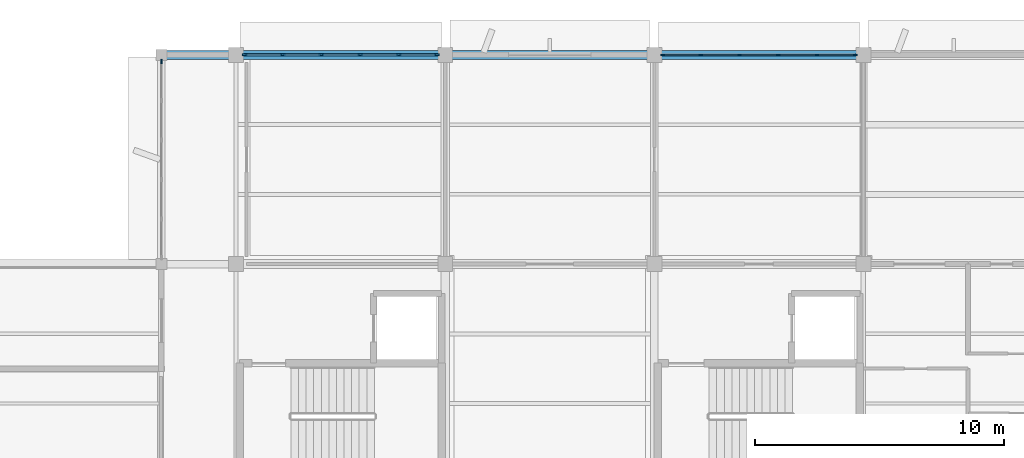
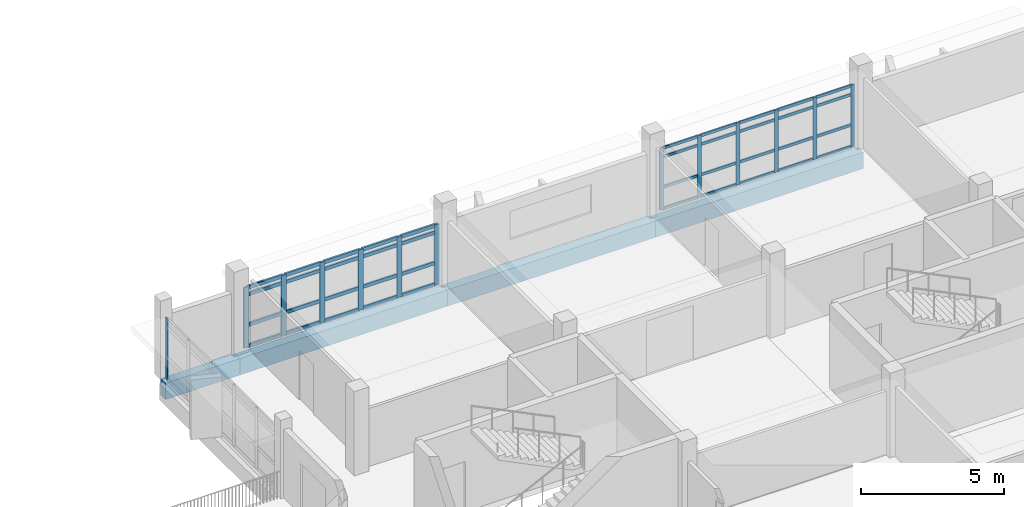
# One storey, part 15 of 42: 53 members, 4 beams, 3 elements without a shape of their own.
"""IFC4 building model written with IfcOpenShell, lengths in metres."""

from ifc_helpers import new_model, si_unit, direction, frame, origin, origin_2d, place, context, subcontext, project, spatial, rectangle, extrude, material, material_profile, profile_set, type_object, element, aggregate, save


model = new_model("IFC4")

# Units and contexts
model_context = context("Model", 3, precision=1e-05, world=origin(), true_north=direction((0.0, 1.0)))
body_context = subcontext(model_context, "Body", "Model", "MODEL_VIEW")
ifc_project = project(units=[si_unit("LENGTHUNIT", "METRE"), si_unit("AREAUNIT", "SQUARE_METRE"), si_unit("VOLUMEUNIT", "CUBIC_METRE"), si_unit("PLANEANGLEUNIT", "RADIAN"), si_unit("MASSUNIT", "GRAM", prefix="KILO")], contexts=[model_context])

# Site, building, storey
site_placement = place(None, origin())
site = spatial("IfcSite", under=ifc_project, at=site_placement, CompositionType="ELEMENT")
building_placement = place(site_placement, origin())
building = spatial("IfcBuilding", under=site, at=building_placement, Name="Vanh Quang Courtyard School", CompositionType="ELEMENT")
storey_placement = place(building_placement, frame((0.0, 0.0, 15.0)))
storey = spatial("IfcBuildingStorey", under=building, at=storey_placement, Name="L04", CompositionType="ELEMENT", Elevation=15.0)

# Beams
ifc_material_1 = material(Name="Concrete C35/45", Category="concrete")
ifc_material_profile_1 = material_profile(ifc_material_1, rectangle(XDim=0.35009765625, YDim=0.699951171875, at=origin_2d()), Name="RC-BM 350x700")
ifc_profile_set_1 = profile_set([ifc_material_profile_1], Name="Concrete C35/45")
beam_type = type_object("IfcBeamType", Name="BM-RC-350x700", PredefinedType="BEAM", material=ifc_profile_set_1)
beam_1_placement = place(storey_placement, frame((74.39990234375, 96.60009765625, -0.610107421875), z_axis=(1.0, 0.0, 0.0), x_axis=(0.0, 1.0, 0.0)))
element("IfcBeam", 1, at=beam_1_placement, inside=storey, type_object=beam_type, Name="Beam B-04 (L04)", PredefinedType="BEAM", context=body_context, shape_type="SweptSolid", body=[
    extrude(rectangle(XDim=0.35009765625, YDim=0.699951171875, at=origin_2d()), origin(), (0.0, 0.0, 1.0), 3.0),
])
beam_2_placement = place(storey_placement, frame((77.39990234375, 96.60009765625, -0.610107421875), z_axis=(1.0, 0.0, 0.0), x_axis=(0.0, 1.0, 0.0)))
element("IfcBeam", 2, at=beam_2_placement, inside=storey, type_object=beam_type, Name="Beam B-04 (L04)", PredefinedType="BEAM", context=body_context, shape_type="SweptSolid", body=[
    extrude(rectangle(XDim=0.35009765625, YDim=0.699951171875, at=origin_2d()), origin(), (0.0, 0.0, 1.0), 8.400146484375),
])
beam_3_placement = place(storey_placement, frame((85.800048828125, 96.60009765625, -0.610107421875), z_axis=(1.0, 0.0, 0.0), x_axis=(0.0, 1.0, 0.0)))
element("IfcBeam", 3, at=beam_3_placement, inside=storey, type_object=beam_type, Name="Beam B-04 (L04)", PredefinedType="BEAM", context=body_context, shape_type="SweptSolid", body=[
    extrude(rectangle(XDim=0.35009765625, YDim=0.699951171875, at=origin_2d()), origin(), (0.0, 0.0, 1.0), 8.39990234375),
])
beam_4_placement = place(storey_placement, frame((94.199951171875, 96.60009765625, -0.610107421875), z_axis=(1.0, 0.0, 0.0), x_axis=(0.0, 1.0, 0.0)))
element("IfcBeam", 4, at=beam_4_placement, inside=storey, type_object=beam_type, Name="Beam B-04 (L04)", PredefinedType="BEAM", context=body_context, shape_type="SweptSolid", body=[
    extrude(rectangle(XDim=0.35009765625, YDim=0.699951171875, at=origin_2d()), origin(), (0.0, 0.0, 1.0), 8.400146484375),
])

# Curtain wall, members
ifc_material_2 = material(Name="Thermally broken aluminium unitised curtain wall", Category="aluminium")
curtain_wall_type_1 = type_object("IfcCurtainWallType", Name="CW-SYS-24", PredefinedType="NOTDEFINED", material=ifc_material_2)
curtain_wall_1_placement = place(storey_placement, origin())
curtain_wall_1 = element("IfcCurtainWall", 5, at=curtain_wall_1_placement, inside=storey, type_object=curtain_wall_type_1, Name="Curtain Wall CW-24 (L04)", PredefinedType="NOTDEFINED")
ifc_material_3 = material(Name="Anodised aluminium 6063-T6", Category="aluminium")
ifc_material_profile_2 = material_profile(ifc_material_3, rectangle(XDim=0.06005859375, YDim=0.159912109375, at=origin_2d()), Name="ALU-MUL 60x160")
ifc_profile_set_2 = profile_set([ifc_material_profile_2], Name="Anodised aluminium 6063-T6")
member_type_1 = type_object("IfcMemberType", Name="CW-MUL-60x160", PredefinedType="MULLION", material=ifc_profile_set_2)
member_1_placement = place(storey_placement, frame((94.5380859375, 96.60009765625, 0.0), z_axis=(0.0, 0.0, 1.0), x_axis=(0.0, 1.0, 0.0)))
member_1 = element("IfcMember", 6, at=member_1_placement, type_object=member_type_1, Name="CW-24 mullion 1", PredefinedType="MULLION", context=body_context, shape_type="SweptSolid", body=[
    extrude(rectangle(XDim=0.06005859375, YDim=0.159912109375, at=origin_2d()), origin(), (0.0, 0.0, 1.0), 2.64990234375),
])
member_2_placement = place(storey_placement, frame((96.064697265625, 96.60009765625, 0.0), z_axis=(0.0, 0.0, 1.0), x_axis=(0.0, 1.0, 0.0)))
member_2 = element("IfcMember", 7, at=member_2_placement, type_object=member_type_1, Name="CW-24 mullion 2", PredefinedType="MULLION", context=body_context, shape_type="SweptSolid", body=[
    extrude(rectangle(XDim=0.06005859375, YDim=0.159912109375, at=origin_2d()), origin(), (0.0, 0.0, 1.0), 2.64990234375),
])
member_3_placement = place(storey_placement, frame((97.62158203125, 96.60009765625, 0.0), z_axis=(0.0, 0.0, 1.0), x_axis=(0.0, 1.0, 0.0)))
member_3 = element("IfcMember", 8, at=member_3_placement, type_object=member_type_1, Name="CW-24 mullion 3", PredefinedType="MULLION", context=body_context, shape_type="SweptSolid", body=[
    extrude(rectangle(XDim=0.06005859375, YDim=0.159912109375, at=origin_2d()), origin(), (0.0, 0.0, 1.0), 2.64990234375),
])
member_4_placement = place(storey_placement, frame((99.178466796875, 96.60009765625, 0.0), z_axis=(0.0, 0.0, 1.0), x_axis=(0.0, 1.0, 0.0)))
member_4 = element("IfcMember", 9, at=member_4_placement, type_object=member_type_1, Name="CW-24 mullion 4", PredefinedType="MULLION", context=body_context, shape_type="SweptSolid", body=[
    extrude(rectangle(XDim=0.06005859375, YDim=0.159912109375, at=origin_2d()), origin(), (0.0, 0.0, 1.0), 2.64990234375),
])
member_5_placement = place(storey_placement, frame((100.735107421875, 96.60009765625, 0.0), z_axis=(0.0, 0.0, 1.0), x_axis=(0.0, 1.0, 0.0)))
member_5 = element("IfcMember", 10, at=member_5_placement, type_object=member_type_1, Name="CW-24 mullion 5", PredefinedType="MULLION", context=body_context, shape_type="SweptSolid", body=[
    extrude(rectangle(XDim=0.06005859375, YDim=0.159912109375, at=origin_2d()), origin(), (0.0, 0.0, 1.0), 2.64990234375),
])
member_6_placement = place(storey_placement, frame((102.261962890625, 96.60009765625, 0.0), z_axis=(0.0, 0.0, 1.0), x_axis=(0.0, 1.0, 0.0)))
member_6 = element("IfcMember", 11, at=member_6_placement, type_object=member_type_1, Name="CW-24 mullion 6", PredefinedType="MULLION", context=body_context, shape_type="SweptSolid", body=[
    extrude(rectangle(XDim=0.06005859375, YDim=0.159912109375, at=origin_2d()), origin(), (0.0, 0.0, 1.0), 2.64990234375),
])

# Curtain wall, member
curtain_wall_type_2 = type_object("IfcCurtainWallType", Name="CW-SYS-19", PredefinedType="NOTDEFINED", material=ifc_material_2)
curtain_wall_2_placement = place(storey_placement, origin())
curtain_wall_2 = element("IfcCurtainWall", 12, at=curtain_wall_2_placement, inside=storey, type_object=curtain_wall_type_2, Name="Curtain Wall CW-19 (L04)", PredefinedType="NOTDEFINED")
ifc_material_profile_3 = material_profile(ifc_material_3, rectangle(XDim=0.070068359375, YDim=0.179931640625, at=origin_2d()), Name="ALU-MUL 70x180")
ifc_profile_set_3 = profile_set([ifc_material_profile_3], Name="Anodised aluminium 6063-T6")
member_type_2 = type_object("IfcMemberType", Name="CW-MUL-70x180", PredefinedType="MULLION", material=ifc_profile_set_3)
member_7_placement = place(storey_placement, frame((74.39990234375, 96.33203125, 0.0), z_axis=(0.0, 0.0, 1.0), x_axis=(-1.0, 0.0, 0.0)))
member_7 = element("IfcMember", 13, at=member_7_placement, type_object=member_type_2, Name="CW-19 mullion 6", PredefinedType="MULLION", context=body_context, shape_type="SweptSolid", body=[
    extrude(rectangle(XDim=0.070068359375, YDim=0.179931640625, at=origin_2d()), origin(), (0.0, 0.0, 1.0), 2.580078125),
])
aggregate(curtain_wall_2, [member_7])

# Curtain wall, members
curtain_wall_3_placement = place(storey_placement, origin())
curtain_wall_3 = element("IfcCurtainWall", 14, at=curtain_wall_3_placement, inside=storey, type_object=curtain_wall_type_1, Name="Curtain Wall CW-24 (L04)", PredefinedType="NOTDEFINED")
ifc_material_profile_4 = material_profile(ifc_material_3, rectangle(XDim=0.080078125, YDim=0.199951171875, at=origin_2d()), Name="ALU-MUL 80x200")
ifc_profile_set_4 = profile_set([ifc_material_profile_4], Name="Anodised aluminium 6063-T6")
member_type_3 = type_object("IfcMemberType", Name="CW-MUL-80x200", PredefinedType="MULLION", material=ifc_profile_set_4)
member_8_placement = place(storey_placement, frame((77.748046875, 96.60009765625, 0.0), z_axis=(0.0, 0.0, 1.0), x_axis=(0.0, 1.0, 0.0)))
member_8 = element("IfcMember", 15, at=member_8_placement, type_object=member_type_3, Name="CW-24 mullion 1", PredefinedType="MULLION", context=body_context, shape_type="SweptSolid", body=[
    extrude(rectangle(XDim=0.080078125, YDim=0.199951171875, at=origin_2d()), origin(), (0.0, 0.0, 1.0), 2.580078125),
])
member_9_placement = place(storey_placement, frame((79.264892578125, 96.60009765625, 0.0), z_axis=(0.0, 0.0, 1.0), x_axis=(0.0, 1.0, 0.0)))
member_9 = element("IfcMember", 16, at=member_9_placement, type_object=member_type_3, Name="CW-24 mullion 2", PredefinedType="MULLION", context=body_context, shape_type="SweptSolid", body=[
    extrude(rectangle(XDim=0.080078125, YDim=0.199951171875, at=origin_2d()), origin(), (0.0, 0.0, 1.0), 2.580078125),
])
member_10_placement = place(storey_placement, frame((80.821533203125, 96.60009765625, 0.0), z_axis=(0.0, 0.0, 1.0), x_axis=(0.0, 1.0, 0.0)))
member_10 = element("IfcMember", 17, at=member_10_placement, type_object=member_type_3, Name="CW-24 mullion 3", PredefinedType="MULLION", context=body_context, shape_type="SweptSolid", body=[
    extrude(rectangle(XDim=0.080078125, YDim=0.199951171875, at=origin_2d()), origin(), (0.0, 0.0, 1.0), 2.580078125),
])
member_11_placement = place(storey_placement, frame((82.37841796875, 96.60009765625, 0.0), z_axis=(0.0, 0.0, 1.0), x_axis=(0.0, 1.0, 0.0)))
member_11 = element("IfcMember", 18, at=member_11_placement, type_object=member_type_3, Name="CW-24 mullion 4", PredefinedType="MULLION", context=body_context, shape_type="SweptSolid", body=[
    extrude(rectangle(XDim=0.080078125, YDim=0.199951171875, at=origin_2d()), origin(), (0.0, 0.0, 1.0), 2.580078125),
])
member_12_placement = place(storey_placement, frame((83.935302734375, 96.60009765625, 0.0), z_axis=(0.0, 0.0, 1.0), x_axis=(0.0, 1.0, 0.0)))
member_12 = element("IfcMember", 19, at=member_12_placement, type_object=member_type_3, Name="CW-24 mullion 5", PredefinedType="MULLION", context=body_context, shape_type="SweptSolid", body=[
    extrude(rectangle(XDim=0.080078125, YDim=0.199951171875, at=origin_2d()), origin(), (0.0, 0.0, 1.0), 2.580078125),
])
member_13_placement = place(storey_placement, frame((85.451904296875, 96.60009765625, 0.0), z_axis=(0.0, 0.0, 1.0), x_axis=(0.0, 1.0, 0.0)))
member_13 = element("IfcMember", 20, at=member_13_placement, type_object=member_type_3, Name="CW-24 mullion 6", PredefinedType="MULLION", context=body_context, shape_type="SweptSolid", body=[
    extrude(rectangle(XDim=0.080078125, YDim=0.199951171875, at=origin_2d()), origin(), (0.0, 0.0, 1.0), 2.580078125),
])

# Member
ifc_material_profile_5 = material_profile(ifc_material_3, rectangle(XDim=0.06005859375, YDim=0.1201171875, at=origin_2d()), Name="ALU-TRN 60x120")
ifc_profile_set_5 = profile_set([ifc_material_profile_5], Name="Anodised aluminium 6063-T6")
member_type_4 = type_object("IfcMemberType", Name="CW-TRN-60x120", PredefinedType="USERDEFINED", material=ifc_profile_set_5)
member_14_placement = place(storey_placement, frame((94.568115234375, 96.60009765625, 0.030029296875), z_axis=(1.0, 0.0, 0.0), x_axis=(0.0, 1.0, 0.0)))
member_14 = element("IfcMember", 21, at=member_14_placement, type_object=member_type_4, Name="CW-24 transom 1.1", ObjectType="TRANSOM", PredefinedType="USERDEFINED", context=body_context, shape_type="SweptSolid", body=[
    extrude(rectangle(XDim=0.06005859375, YDim=0.1201171875, at=origin_2d()), origin(), (0.0, 0.0, 1.0), 1.466796875),
])

member_15_placement = place(storey_placement, frame((94.568115234375, 96.60009765625, 0.949951171875), z_axis=(1.0, 0.0, 0.0), x_axis=(0.0, 1.0, 0.0)))
member_15 = element("IfcMember", 22, at=member_15_placement, type_object=member_type_4, Name="CW-24 transom 1.2", ObjectType="TRANSOM", PredefinedType="USERDEFINED", context=body_context, shape_type="SweptSolid", body=[
    extrude(rectangle(XDim=0.06005859375, YDim=0.1201171875, at=origin_2d()), origin(), (0.0, 0.0, 1.0), 1.466796875),
])

member_16_placement = place(storey_placement, frame((94.568115234375, 96.60009765625, 2.25), z_axis=(1.0, 0.0, 0.0), x_axis=(0.0, 1.0, 0.0)))
member_16 = element("IfcMember", 23, at=member_16_placement, type_object=member_type_4, Name="CW-24 transom 1.3", ObjectType="TRANSOM", PredefinedType="USERDEFINED", context=body_context, shape_type="SweptSolid", body=[
    extrude(rectangle(XDim=0.06005859375, YDim=0.1201171875, at=origin_2d()), origin(), (0.0, 0.0, 1.0), 1.466796875),
])

member_17_placement = place(storey_placement, frame((94.568115234375, 96.60009765625, 2.6201171875), z_axis=(1.0, 0.0, 0.0), x_axis=(0.0, 1.0, 0.0)))
member_17 = element("IfcMember", 24, at=member_17_placement, type_object=member_type_4, Name="CW-24 transom 1.4", ObjectType="TRANSOM", PredefinedType="USERDEFINED", context=body_context, shape_type="SweptSolid", body=[
    extrude(rectangle(XDim=0.06005859375, YDim=0.1201171875, at=origin_2d()), origin(), (0.0, 0.0, 1.0), 1.466796875),
])

member_18_placement = place(storey_placement, frame((96.0947265625, 96.60009765625, 0.030029296875), z_axis=(1.0, 0.0, 0.0), x_axis=(0.0, 1.0, 0.0)))
member_18 = element("IfcMember", 25, at=member_18_placement, type_object=member_type_4, Name="CW-24 transom 2.1", ObjectType="TRANSOM", PredefinedType="USERDEFINED", context=body_context, shape_type="SweptSolid", body=[
    extrude(rectangle(XDim=0.06005859375, YDim=0.1201171875, at=origin_2d()), origin(), (0.0, 0.0, 1.0), 1.496826171875),
])

member_19_placement = place(storey_placement, frame((96.0947265625, 96.60009765625, 0.949951171875), z_axis=(1.0, 0.0, 0.0), x_axis=(0.0, 1.0, 0.0)))
member_19 = element("IfcMember", 26, at=member_19_placement, type_object=member_type_4, Name="CW-24 transom 2.2", ObjectType="TRANSOM", PredefinedType="USERDEFINED", context=body_context, shape_type="SweptSolid", body=[
    extrude(rectangle(XDim=0.06005859375, YDim=0.1201171875, at=origin_2d()), origin(), (0.0, 0.0, 1.0), 1.496826171875),
])

member_20_placement = place(storey_placement, frame((96.0947265625, 96.60009765625, 2.25), z_axis=(1.0, 0.0, 0.0), x_axis=(0.0, 1.0, 0.0)))
member_20 = element("IfcMember", 27, at=member_20_placement, type_object=member_type_4, Name="CW-24 transom 2.3", ObjectType="TRANSOM", PredefinedType="USERDEFINED", context=body_context, shape_type="SweptSolid", body=[
    extrude(rectangle(XDim=0.06005859375, YDim=0.1201171875, at=origin_2d()), origin(), (0.0, 0.0, 1.0), 1.496826171875),
])

member_21_placement = place(storey_placement, frame((96.0947265625, 96.60009765625, 2.6201171875), z_axis=(1.0, 0.0, 0.0), x_axis=(0.0, 1.0, 0.0)))
member_21 = element("IfcMember", 28, at=member_21_placement, type_object=member_type_4, Name="CW-24 transom 2.4", ObjectType="TRANSOM", PredefinedType="USERDEFINED", context=body_context, shape_type="SweptSolid", body=[
    extrude(rectangle(XDim=0.06005859375, YDim=0.1201171875, at=origin_2d()), origin(), (0.0, 0.0, 1.0), 1.496826171875),
])

member_22_placement = place(storey_placement, frame((97.651611328125, 96.60009765625, 0.030029296875), z_axis=(1.0, 0.0, 0.0), x_axis=(0.0, 1.0, 0.0)))
member_22 = element("IfcMember", 29, at=member_22_placement, type_object=member_type_4, Name="CW-24 transom 3.1", ObjectType="TRANSOM", PredefinedType="USERDEFINED", context=body_context, shape_type="SweptSolid", body=[
    extrude(rectangle(XDim=0.06005859375, YDim=0.1201171875, at=origin_2d()), origin(), (0.0, 0.0, 1.0), 1.496826171875),
])

member_23_placement = place(storey_placement, frame((97.651611328125, 96.60009765625, 0.949951171875), z_axis=(1.0, 0.0, 0.0), x_axis=(0.0, 1.0, 0.0)))
member_23 = element("IfcMember", 30, at=member_23_placement, type_object=member_type_4, Name="CW-24 transom 3.2", ObjectType="TRANSOM", PredefinedType="USERDEFINED", context=body_context, shape_type="SweptSolid", body=[
    extrude(rectangle(XDim=0.06005859375, YDim=0.1201171875, at=origin_2d()), origin(), (0.0, 0.0, 1.0), 1.496826171875),
])

member_24_placement = place(storey_placement, frame((97.651611328125, 96.60009765625, 2.25), z_axis=(1.0, 0.0, 0.0), x_axis=(0.0, 1.0, 0.0)))
member_24 = element("IfcMember", 31, at=member_24_placement, type_object=member_type_4, Name="CW-24 transom 3.3", ObjectType="TRANSOM", PredefinedType="USERDEFINED", context=body_context, shape_type="SweptSolid", body=[
    extrude(rectangle(XDim=0.06005859375, YDim=0.1201171875, at=origin_2d()), origin(), (0.0, 0.0, 1.0), 1.496826171875),
])

member_25_placement = place(storey_placement, frame((97.651611328125, 96.60009765625, 2.6201171875), z_axis=(1.0, 0.0, 0.0), x_axis=(0.0, 1.0, 0.0)))
member_25 = element("IfcMember", 32, at=member_25_placement, type_object=member_type_4, Name="CW-24 transom 3.4", ObjectType="TRANSOM", PredefinedType="USERDEFINED", context=body_context, shape_type="SweptSolid", body=[
    extrude(rectangle(XDim=0.06005859375, YDim=0.1201171875, at=origin_2d()), origin(), (0.0, 0.0, 1.0), 1.496826171875),
])

member_26_placement = place(storey_placement, frame((99.20849609375, 96.60009765625, 0.030029296875), z_axis=(1.0, 0.0, 0.0), x_axis=(0.0, 1.0, 0.0)))
member_26 = element("IfcMember", 33, at=member_26_placement, type_object=member_type_4, Name="CW-24 transom 4.1", ObjectType="TRANSOM", PredefinedType="USERDEFINED", context=body_context, shape_type="SweptSolid", body=[
    extrude(rectangle(XDim=0.06005859375, YDim=0.1201171875, at=origin_2d()), origin(), (0.0, 0.0, 1.0), 1.49658203125),
])

member_27_placement = place(storey_placement, frame((99.20849609375, 96.60009765625, 0.949951171875), z_axis=(1.0, 0.0, 0.0), x_axis=(0.0, 1.0, 0.0)))
member_27 = element("IfcMember", 34, at=member_27_placement, type_object=member_type_4, Name="CW-24 transom 4.2", ObjectType="TRANSOM", PredefinedType="USERDEFINED", context=body_context, shape_type="SweptSolid", body=[
    extrude(rectangle(XDim=0.06005859375, YDim=0.1201171875, at=origin_2d()), origin(), (0.0, 0.0, 1.0), 1.49658203125),
])

member_28_placement = place(storey_placement, frame((99.20849609375, 96.60009765625, 2.25), z_axis=(1.0, 0.0, 0.0), x_axis=(0.0, 1.0, 0.0)))
member_28 = element("IfcMember", 35, at=member_28_placement, type_object=member_type_4, Name="CW-24 transom 4.3", ObjectType="TRANSOM", PredefinedType="USERDEFINED", context=body_context, shape_type="SweptSolid", body=[
    extrude(rectangle(XDim=0.06005859375, YDim=0.1201171875, at=origin_2d()), origin(), (0.0, 0.0, 1.0), 1.49658203125),
])

member_29_placement = place(storey_placement, frame((99.20849609375, 96.60009765625, 2.6201171875), z_axis=(1.0, 0.0, 0.0), x_axis=(0.0, 1.0, 0.0)))
member_29 = element("IfcMember", 36, at=member_29_placement, type_object=member_type_4, Name="CW-24 transom 4.4", ObjectType="TRANSOM", PredefinedType="USERDEFINED", context=body_context, shape_type="SweptSolid", body=[
    extrude(rectangle(XDim=0.06005859375, YDim=0.1201171875, at=origin_2d()), origin(), (0.0, 0.0, 1.0), 1.49658203125),
])

member_30_placement = place(storey_placement, frame((100.76513671875, 96.60009765625, 0.030029296875), z_axis=(1.0, 0.0, 0.0), x_axis=(0.0, 1.0, 0.0)))
member_30 = element("IfcMember", 37, at=member_30_placement, type_object=member_type_4, Name="CW-24 transom 5.1", ObjectType="TRANSOM", PredefinedType="USERDEFINED", context=body_context, shape_type="SweptSolid", body=[
    extrude(rectangle(XDim=0.06005859375, YDim=0.1201171875, at=origin_2d()), origin(), (0.0, 0.0, 1.0), 1.466796875),
])

member_31_placement = place(storey_placement, frame((100.76513671875, 96.60009765625, 0.949951171875), z_axis=(1.0, 0.0, 0.0), x_axis=(0.0, 1.0, 0.0)))
member_31 = element("IfcMember", 38, at=member_31_placement, type_object=member_type_4, Name="CW-24 transom 5.2", ObjectType="TRANSOM", PredefinedType="USERDEFINED", context=body_context, shape_type="SweptSolid", body=[
    extrude(rectangle(XDim=0.06005859375, YDim=0.1201171875, at=origin_2d()), origin(), (0.0, 0.0, 1.0), 1.466796875),
])

member_32_placement = place(storey_placement, frame((100.76513671875, 96.60009765625, 2.25), z_axis=(1.0, 0.0, 0.0), x_axis=(0.0, 1.0, 0.0)))
member_32 = element("IfcMember", 39, at=member_32_placement, type_object=member_type_4, Name="CW-24 transom 5.3", ObjectType="TRANSOM", PredefinedType="USERDEFINED", context=body_context, shape_type="SweptSolid", body=[
    extrude(rectangle(XDim=0.06005859375, YDim=0.1201171875, at=origin_2d()), origin(), (0.0, 0.0, 1.0), 1.466796875),
])

member_33_placement = place(storey_placement, frame((100.76513671875, 96.60009765625, 2.6201171875), z_axis=(1.0, 0.0, 0.0), x_axis=(0.0, 1.0, 0.0)))
member_33 = element("IfcMember", 40, at=member_33_placement, type_object=member_type_4, Name="CW-24 transom 5.4", ObjectType="TRANSOM", PredefinedType="USERDEFINED", context=body_context, shape_type="SweptSolid", body=[
    extrude(rectangle(XDim=0.06005859375, YDim=0.1201171875, at=origin_2d()), origin(), (0.0, 0.0, 1.0), 1.466796875),
])

aggregate(curtain_wall_1, [member_1, member_2, member_3, member_4, member_5, member_6, member_14, member_15, member_16, member_17, member_18, member_19, member_20, member_21, member_22, member_23, member_24, member_25, member_26, member_27, member_28, member_29, member_30, member_31, member_32, member_33])

ifc_material_profile_6 = material_profile(ifc_material_3, rectangle(XDim=0.080078125, YDim=0.14990234375, at=origin_2d()), Name="ALU-TRN 80x150")
ifc_profile_set_6 = profile_set([ifc_material_profile_6], Name="Anodised aluminium 6063-T6")
member_type_5 = type_object("IfcMemberType", Name="CW-TRN-80x150", PredefinedType="USERDEFINED", material=ifc_profile_set_6)
member_34_placement = place(storey_placement, frame((77.7880859375, 96.60009765625, 0.0400390625), z_axis=(1.0, 0.0, 0.0), x_axis=(0.0, 1.0, 0.0)))
member_34 = element("IfcMember", 41, at=member_34_placement, type_object=member_type_5, Name="CW-24 transom 1.1", ObjectType="TRANSOM", PredefinedType="USERDEFINED", context=body_context, shape_type="SweptSolid", body=[
    extrude(rectangle(XDim=0.080078125, YDim=0.14990234375, at=origin_2d()), origin(), (0.0, 0.0, 1.0), 1.436767578125),
])

member_35_placement = place(storey_placement, frame((77.7880859375, 96.60009765625, 0.949951171875), z_axis=(1.0, 0.0, 0.0), x_axis=(0.0, 1.0, 0.0)))
member_35 = element("IfcMember", 42, at=member_35_placement, type_object=member_type_5, Name="CW-24 transom 1.2", ObjectType="TRANSOM", PredefinedType="USERDEFINED", context=body_context, shape_type="SweptSolid", body=[
    extrude(rectangle(XDim=0.080078125, YDim=0.14990234375, at=origin_2d()), origin(), (0.0, 0.0, 1.0), 1.436767578125),
])

member_36_placement = place(storey_placement, frame((77.7880859375, 96.60009765625, 2.25), z_axis=(1.0, 0.0, 0.0), x_axis=(0.0, 1.0, 0.0)))
member_36 = element("IfcMember", 43, at=member_36_placement, type_object=member_type_5, Name="CW-24 transom 1.3", ObjectType="TRANSOM", PredefinedType="USERDEFINED", context=body_context, shape_type="SweptSolid", body=[
    extrude(rectangle(XDim=0.080078125, YDim=0.14990234375, at=origin_2d()), origin(), (0.0, 0.0, 1.0), 1.436767578125),
])

member_37_placement = place(storey_placement, frame((77.7880859375, 96.60009765625, 2.5400390625), z_axis=(1.0, 0.0, 0.0), x_axis=(0.0, 1.0, 0.0)))
member_37 = element("IfcMember", 44, at=member_37_placement, type_object=member_type_5, Name="CW-24 transom 1.4", ObjectType="TRANSOM", PredefinedType="USERDEFINED", context=body_context, shape_type="SweptSolid", body=[
    extrude(rectangle(XDim=0.080078125, YDim=0.14990234375, at=origin_2d()), origin(), (0.0, 0.0, 1.0), 1.436767578125),
])

member_38_placement = place(storey_placement, frame((79.3046875, 96.60009765625, 0.0400390625), z_axis=(1.0, 0.0, 0.0), x_axis=(0.0, 1.0, 0.0)))
member_38 = element("IfcMember", 45, at=member_38_placement, type_object=member_type_5, Name="CW-24 transom 2.1", ObjectType="TRANSOM", PredefinedType="USERDEFINED", context=body_context, shape_type="SweptSolid", body=[
    extrude(rectangle(XDim=0.080078125, YDim=0.14990234375, at=origin_2d()), origin(), (0.0, 0.0, 1.0), 1.476806640625),
])

member_39_placement = place(storey_placement, frame((79.3046875, 96.60009765625, 0.949951171875), z_axis=(1.0, 0.0, 0.0), x_axis=(0.0, 1.0, 0.0)))
member_39 = element("IfcMember", 46, at=member_39_placement, type_object=member_type_5, Name="CW-24 transom 2.2", ObjectType="TRANSOM", PredefinedType="USERDEFINED", context=body_context, shape_type="SweptSolid", body=[
    extrude(rectangle(XDim=0.080078125, YDim=0.14990234375, at=origin_2d()), origin(), (0.0, 0.0, 1.0), 1.476806640625),
])

member_40_placement = place(storey_placement, frame((79.3046875, 96.60009765625, 2.25), z_axis=(1.0, 0.0, 0.0), x_axis=(0.0, 1.0, 0.0)))
member_40 = element("IfcMember", 47, at=member_40_placement, type_object=member_type_5, Name="CW-24 transom 2.3", ObjectType="TRANSOM", PredefinedType="USERDEFINED", context=body_context, shape_type="SweptSolid", body=[
    extrude(rectangle(XDim=0.080078125, YDim=0.14990234375, at=origin_2d()), origin(), (0.0, 0.0, 1.0), 1.476806640625),
])

member_41_placement = place(storey_placement, frame((79.3046875, 96.60009765625, 2.5400390625), z_axis=(1.0, 0.0, 0.0), x_axis=(0.0, 1.0, 0.0)))
member_41 = element("IfcMember", 48, at=member_41_placement, type_object=member_type_5, Name="CW-24 transom 2.4", ObjectType="TRANSOM", PredefinedType="USERDEFINED", context=body_context, shape_type="SweptSolid", body=[
    extrude(rectangle(XDim=0.080078125, YDim=0.14990234375, at=origin_2d()), origin(), (0.0, 0.0, 1.0), 1.476806640625),
])

member_42_placement = place(storey_placement, frame((80.861572265625, 96.60009765625, 0.0400390625), z_axis=(1.0, 0.0, 0.0), x_axis=(0.0, 1.0, 0.0)))
member_42 = element("IfcMember", 49, at=member_42_placement, type_object=member_type_5, Name="CW-24 transom 3.1", ObjectType="TRANSOM", PredefinedType="USERDEFINED", context=body_context, shape_type="SweptSolid", body=[
    extrude(rectangle(XDim=0.080078125, YDim=0.14990234375, at=origin_2d()), origin(), (0.0, 0.0, 1.0), 1.476806640625),
])

member_43_placement = place(storey_placement, frame((80.861572265625, 96.60009765625, 0.949951171875), z_axis=(1.0, 0.0, 0.0), x_axis=(0.0, 1.0, 0.0)))
member_43 = element("IfcMember", 50, at=member_43_placement, type_object=member_type_5, Name="CW-24 transom 3.2", ObjectType="TRANSOM", PredefinedType="USERDEFINED", context=body_context, shape_type="SweptSolid", body=[
    extrude(rectangle(XDim=0.080078125, YDim=0.14990234375, at=origin_2d()), origin(), (0.0, 0.0, 1.0), 1.476806640625),
])

member_44_placement = place(storey_placement, frame((80.861572265625, 96.60009765625, 2.25), z_axis=(1.0, 0.0, 0.0), x_axis=(0.0, 1.0, 0.0)))
member_44 = element("IfcMember", 51, at=member_44_placement, type_object=member_type_5, Name="CW-24 transom 3.3", ObjectType="TRANSOM", PredefinedType="USERDEFINED", context=body_context, shape_type="SweptSolid", body=[
    extrude(rectangle(XDim=0.080078125, YDim=0.14990234375, at=origin_2d()), origin(), (0.0, 0.0, 1.0), 1.476806640625),
])

member_45_placement = place(storey_placement, frame((80.861572265625, 96.60009765625, 2.5400390625), z_axis=(1.0, 0.0, 0.0), x_axis=(0.0, 1.0, 0.0)))
member_45 = element("IfcMember", 52, at=member_45_placement, type_object=member_type_5, Name="CW-24 transom 3.4", ObjectType="TRANSOM", PredefinedType="USERDEFINED", context=body_context, shape_type="SweptSolid", body=[
    extrude(rectangle(XDim=0.080078125, YDim=0.14990234375, at=origin_2d()), origin(), (0.0, 0.0, 1.0), 1.476806640625),
])

member_46_placement = place(storey_placement, frame((82.41845703125, 96.60009765625, 0.0400390625), z_axis=(1.0, 0.0, 0.0), x_axis=(0.0, 1.0, 0.0)))
member_46 = element("IfcMember", 53, at=member_46_placement, type_object=member_type_5, Name="CW-24 transom 4.1", ObjectType="TRANSOM", PredefinedType="USERDEFINED", context=body_context, shape_type="SweptSolid", body=[
    extrude(rectangle(XDim=0.080078125, YDim=0.14990234375, at=origin_2d()), origin(), (0.0, 0.0, 1.0), 1.476806640625),
])

member_47_placement = place(storey_placement, frame((82.41845703125, 96.60009765625, 0.949951171875), z_axis=(1.0, 0.0, 0.0), x_axis=(0.0, 1.0, 0.0)))
member_47 = element("IfcMember", 54, at=member_47_placement, type_object=member_type_5, Name="CW-24 transom 4.2", ObjectType="TRANSOM", PredefinedType="USERDEFINED", context=body_context, shape_type="SweptSolid", body=[
    extrude(rectangle(XDim=0.080078125, YDim=0.14990234375, at=origin_2d()), origin(), (0.0, 0.0, 1.0), 1.476806640625),
])

member_48_placement = place(storey_placement, frame((82.41845703125, 96.60009765625, 2.25), z_axis=(1.0, 0.0, 0.0), x_axis=(0.0, 1.0, 0.0)))
member_48 = element("IfcMember", 55, at=member_48_placement, type_object=member_type_5, Name="CW-24 transom 4.3", ObjectType="TRANSOM", PredefinedType="USERDEFINED", context=body_context, shape_type="SweptSolid", body=[
    extrude(rectangle(XDim=0.080078125, YDim=0.14990234375, at=origin_2d()), origin(), (0.0, 0.0, 1.0), 1.476806640625),
])

member_49_placement = place(storey_placement, frame((82.41845703125, 96.60009765625, 2.5400390625), z_axis=(1.0, 0.0, 0.0), x_axis=(0.0, 1.0, 0.0)))
member_49 = element("IfcMember", 56, at=member_49_placement, type_object=member_type_5, Name="CW-24 transom 4.4", ObjectType="TRANSOM", PredefinedType="USERDEFINED", context=body_context, shape_type="SweptSolid", body=[
    extrude(rectangle(XDim=0.080078125, YDim=0.14990234375, at=origin_2d()), origin(), (0.0, 0.0, 1.0), 1.476806640625),
])

member_50_placement = place(storey_placement, frame((83.97509765625, 96.60009765625, 0.0400390625), z_axis=(1.0, 0.0, 0.0), x_axis=(0.0, 1.0, 0.0)))
member_50 = element("IfcMember", 57, at=member_50_placement, type_object=member_type_5, Name="CW-24 transom 5.1", ObjectType="TRANSOM", PredefinedType="USERDEFINED", context=body_context, shape_type="SweptSolid", body=[
    extrude(rectangle(XDim=0.080078125, YDim=0.14990234375, at=origin_2d()), origin(), (0.0, 0.0, 1.0), 1.43701171875),
])

member_51_placement = place(storey_placement, frame((83.97509765625, 96.60009765625, 0.949951171875), z_axis=(1.0, 0.0, 0.0), x_axis=(0.0, 1.0, 0.0)))
member_51 = element("IfcMember", 58, at=member_51_placement, type_object=member_type_5, Name="CW-24 transom 5.2", ObjectType="TRANSOM", PredefinedType="USERDEFINED", context=body_context, shape_type="SweptSolid", body=[
    extrude(rectangle(XDim=0.080078125, YDim=0.14990234375, at=origin_2d()), origin(), (0.0, 0.0, 1.0), 1.43701171875),
])

member_52_placement = place(storey_placement, frame((83.97509765625, 96.60009765625, 2.25), z_axis=(1.0, 0.0, 0.0), x_axis=(0.0, 1.0, 0.0)))
member_52 = element("IfcMember", 59, at=member_52_placement, type_object=member_type_5, Name="CW-24 transom 5.3", ObjectType="TRANSOM", PredefinedType="USERDEFINED", context=body_context, shape_type="SweptSolid", body=[
    extrude(rectangle(XDim=0.080078125, YDim=0.14990234375, at=origin_2d()), origin(), (0.0, 0.0, 1.0), 1.43701171875),
])

member_53_placement = place(storey_placement, frame((83.97509765625, 96.60009765625, 2.5400390625), z_axis=(1.0, 0.0, 0.0), x_axis=(0.0, 1.0, 0.0)))
member_53 = element("IfcMember", 60, at=member_53_placement, type_object=member_type_5, Name="CW-24 transom 5.4", ObjectType="TRANSOM", PredefinedType="USERDEFINED", context=body_context, shape_type="SweptSolid", body=[
    extrude(rectangle(XDim=0.080078125, YDim=0.14990234375, at=origin_2d()), origin(), (0.0, 0.0, 1.0), 1.43701171875),
])

aggregate(curtain_wall_3, [member_8, member_9, member_10, member_11, member_12, member_13, member_34, member_35, member_36, member_37, member_38, member_39, member_40, member_41, member_42, member_43, member_44, member_45, member_46, member_47, member_48, member_49, member_50, member_51, member_52, member_53])

save(model, "model.ifc")
